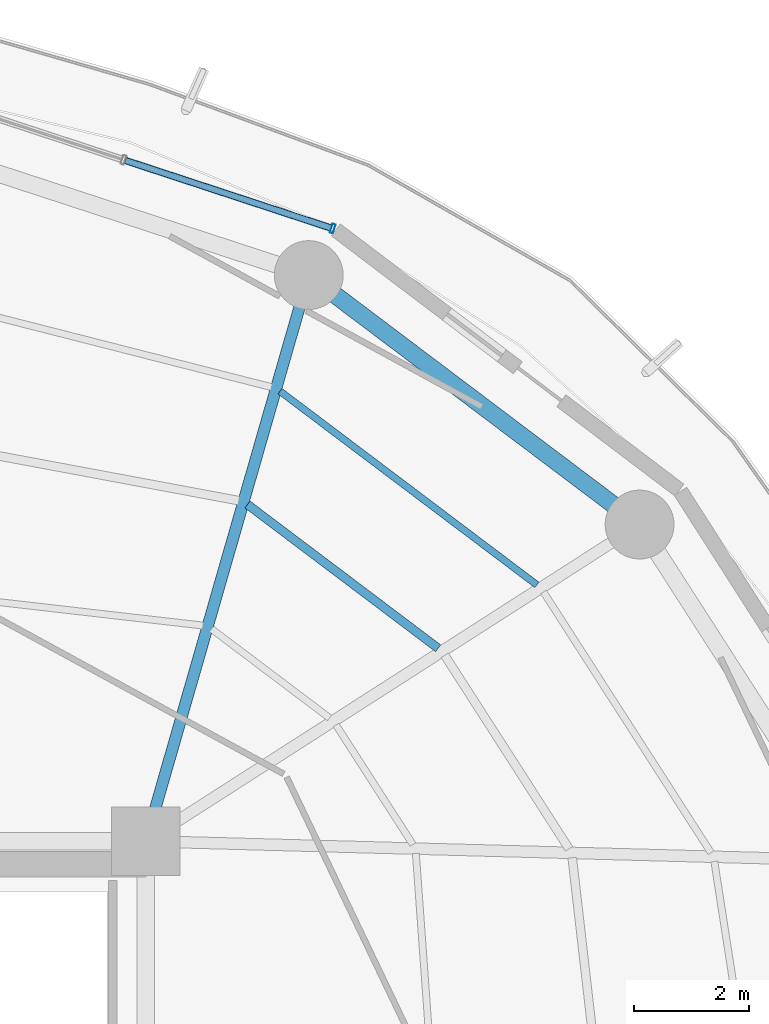
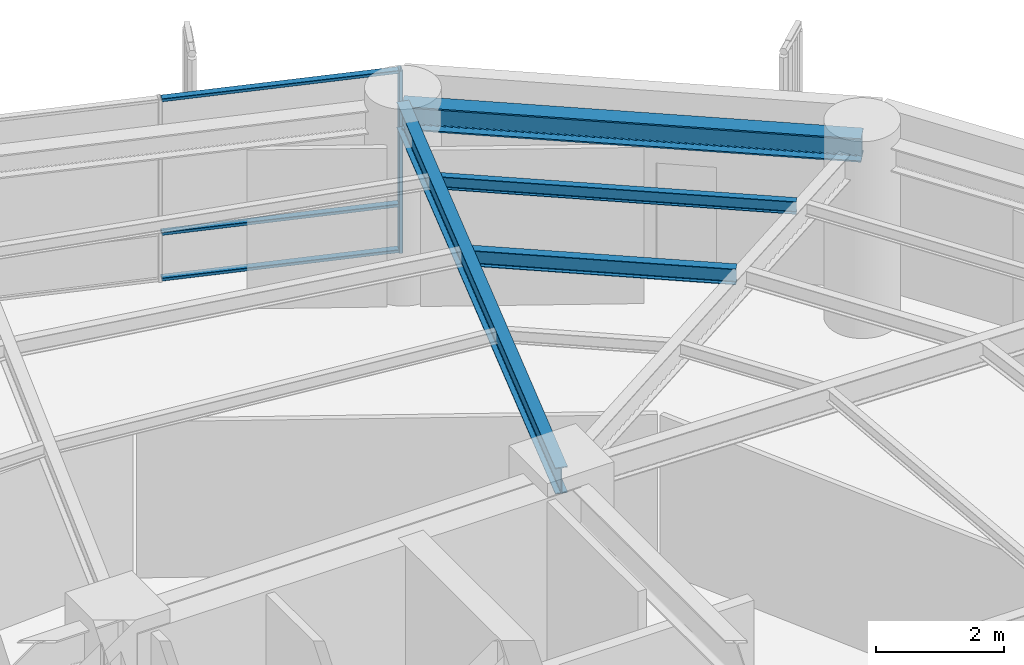
# One storey, part 19 of 28: 4 beams, 4 members, 1 element without a shape of its own.
"""IFC4 building model written with IfcOpenShell, lengths in metres."""

from ifc_helpers import new_model, si_unit, direction, frame, origin, origin_2d, place, context, subcontext, project, spatial, hollow_rectangle, i_section, extrude, material, layer, layer_set, material_profile, profile_set, type_object, element, aggregate, save


model = new_model("IFC4")

# Units and contexts
model_context = context("Model", 3, precision=1e-05, world=origin(), true_north=direction((0.0, 1.0)))
body_context = subcontext(model_context, "Body", "Model", "MODEL_VIEW")
ifc_project = project(units=[si_unit("LENGTHUNIT", "METRE"), si_unit("AREAUNIT", "SQUARE_METRE"), si_unit("VOLUMEUNIT", "CUBIC_METRE"), si_unit("PLANEANGLEUNIT", "RADIAN"), si_unit("MASSUNIT", "GRAM", prefix="KILO")], contexts=[model_context])

# Site, building, storey
site_placement = place(None, origin())
site = spatial("IfcSite", under=ifc_project, at=site_placement, CompositionType="ELEMENT")
building_placement = place(site_placement, origin())
building = spatial("IfcBuilding", under=site, at=building_placement, Name="Kelanora Arch Commons", CompositionType="ELEMENT")
storey_placement = place(building_placement, frame((0.0, 0.0, 139.35009765625)))
storey = spatial("IfcBuildingStorey", under=building, at=storey_placement, Name="L35", CompositionType="ELEMENT", Elevation=139.35009765625)

# Beams
ifc_material_1 = material(Name="Steel S355", Category="steel")
ifc_material_profile_1 = material_profile(ifc_material_1, i_section(OverallWidth=0.14990234375, OverallDepth=0.300048828125, WebThickness=0.007080078125, FlangeThickness=0.0107421875, FilletRadius=0.014892578125, at=origin_2d()), Name="IPE300")
ifc_profile_set_1 = profile_set([ifc_material_profile_1], Name="Steel S355")
beam_type_1 = type_object("IfcBeamType", Name="BM-JST-01", PredefinedType="JOIST", material=ifc_profile_set_1)
beam_1_placement = place(storey_placement, frame((87.0966796875, 68.364013671875, 3.33984375), z_axis=(-0.798463547891, 0.602043156833, 0.0), x_axis=(-0.602043156833, -0.798463547891, 0.0)))
element("IfcBeam", 1, at=beam_1_placement, inside=storey, type_object=beam_type_1, Name="Secondary Chord Joist BJB-04 L35", PredefinedType="JOIST", context=body_context, shape_type="SweptSolid", body=[
    extrude(i_section(OverallWidth=0.14990234375, OverallDepth=0.300048828125, WebThickness=0.007080078125, FlangeThickness=0.0107421875, FilletRadius=0.014892578125, at=origin_2d()), origin(), (0.0, 0.0, 1.0), 4.163818359375),
])
ifc_material_profile_2 = material_profile(ifc_material_1, i_section(OverallWidth=0.1201171875, OverallDepth=0.239990234375, WebThickness=0.006103515625, FlangeThickness=0.009765625, FilletRadius=0.014892578125, at=origin_2d()), Name="IPE240")
ifc_profile_set_2 = profile_set([ifc_material_profile_2], Name="Steel S355")
beam_type_2 = type_object("IfcBeamType", Name="BM-JST-02", PredefinedType="JOIST", material=ifc_profile_set_2)
beam_2_placement = place(storey_placement, frame((88.818359375, 69.468505859375, 3.369873046875), z_axis=(-0.798493128577, 0.602003923256, 0.0), x_axis=(-0.602003923256, -0.798493128577, 0.0)))
element("IfcBeam", 2, at=beam_2_placement, inside=storey, type_object=beam_type_2, Name="Secondary Chord Joist BJC-04 L35", PredefinedType="JOIST", context=body_context, shape_type="SweptSolid", body=[
    extrude(i_section(OverallWidth=0.1201171875, OverallDepth=0.239990234375, WebThickness=0.006103515625, FlangeThickness=0.009765625, FilletRadius=0.014892578125, at=origin_2d()), origin(), (0.0, 0.0, 1.0), 5.608642578125),
])
ifc_material_profile_3 = material_profile(ifc_material_1, i_section(OverallWidth=0.199951171875, OverallDepth=0.5, WebThickness=0.01025390625, FlangeThickness=0.01611328125, FilletRadius=0.02099609375, at=origin_2d()), Name="IPE500")
ifc_profile_set_3 = profile_set([ifc_material_profile_3], Name="Steel S355")
beam_type_3 = type_object("IfcBeamType", Name="BM-RAD-Z3", PredefinedType="BEAM", material=ifc_profile_set_3)
beam_3_placement = place(storey_placement, frame((82.0, 65.0, 3.239990234375), z_axis=(0.276525880065, 0.961006471182, 0.0), x_axis=(-0.961006471182, 0.276525880065, 0.0)))
element("IfcBeam", 3, at=beam_3_placement, inside=storey, type_object=beam_type_3, Name="Radial Floor Girder BR-06 L35", PredefinedType="BEAM", context=body_context, shape_type="SweptSolid", body=[
    extrude(i_section(OverallWidth=0.199951171875, OverallDepth=0.5, WebThickness=0.01025390625, FlangeThickness=0.01611328125, FilletRadius=0.02099609375, at=origin_2d()), origin(), (0.0, 0.0, 1.0), 10.2705078125),
])
ifc_material_profile_4 = material_profile(ifc_material_1, i_section(OverallWidth=0.300048828125, OverallDepth=0.449951171875, WebThickness=0.013916015625, FlangeThickness=0.02587890625, FilletRadius=0.027099609375, at=origin_2d()), Name="HEB450")
ifc_profile_set_4 = profile_set([ifc_material_profile_4], Name="Steel S355")
beam_type_4 = type_object("IfcBeamType", Name="BM-SPN-Z3", PredefinedType="SPANDREL", material=ifc_profile_set_4)
beam_4_placement = place(storey_placement, frame((90.60791015625, 70.521484375, 3.264892578125), z_axis=(-0.798484645564, 0.60201517489, 0.0), x_axis=(-0.60201517489, -0.798484645564, 0.0)))
element("IfcBeam", 4, at=beam_4_placement, inside=storey, type_object=beam_type_4, Name="Perimeter Spandrel Beam BS-04 L35", PredefinedType="SPANDREL", context=body_context, shape_type="SweptSolid", body=[
    extrude(i_section(OverallWidth=0.300048828125, OverallDepth=0.449951171875, WebThickness=0.013916015625, FlangeThickness=0.02587890625, FilletRadius=0.027099609375, at=origin_2d()), origin(), (0.0, 0.0, 1.0), 7.223388671875),
])

# Curtain wall, members
ifc_material_2 = material(Name="Terracotta ceramic-fritted low-E glass and aluminium", Category="masonry")
ifc_layer = layer(ifc_material_2, 0.175048828125)
ifc_layer_set = layer_set([ifc_layer], Name="Terracotta ceramic-fritted low-E glass and aluminium")
curtain_wall_type = type_object("IfcCurtainWallType", Name="CW-SYS-02", PredefinedType="NOTDEFINED", material=ifc_layer_set)
curtain_wall_placement = place(storey_placement, origin())
curtain_wall = element("IfcCurtainWall", 5, at=curtain_wall_placement, inside=storey, type_object=curtain_wall_type, Name="Unitised Curtain Wall L35-B03", PredefinedType="NOTDEFINED")
ifc_material_3 = material(Name="Powder-coated aluminium terracotta", Category="masonry")
ifc_material_profile_5 = material_profile(ifc_material_3, hollow_rectangle(XDim=0.159912109375, YDim=0.06005859375, WallThickness=0.0048828125, InnerFilletRadius=0.0048828125, OuterFilletRadius=0.010009765625, at=origin_2d()), Name="CWM160x60")
ifc_profile_set_5 = profile_set([ifc_material_profile_5], Name="Powder-coated aluminium terracotta")
member_type_1 = type_object("IfcMemberType", Name="CWM-STD", PredefinedType="MULLION", material=ifc_profile_set_5)
member_1_placement = place(storey_placement, frame((85.257080078125, 75.680908203125, 0.0), z_axis=(0.0, 0.0, 1.0), x_axis=(-0.312128279571, -0.95003996605, 0.0)))
member_1 = element("IfcMember", 6, at=member_1_placement, type_object=member_type_1, Name="CW-02 mullion 1", PredefinedType="MULLION", context=body_context, shape_type="SweptSolid", body=[
    extrude(hollow_rectangle(XDim=0.159912109375, YDim=0.06005859375, WallThickness=0.0048828125, InnerFilletRadius=0.0048828125, OuterFilletRadius=0.010009765625, at=origin_2d()), origin(), (0.0, 0.0, 1.0), 3.474853515625),
])
ifc_material_profile_6 = material_profile(ifc_material_3, hollow_rectangle(XDim=0.1201171875, YDim=0.06005859375, WallThickness=0.0048828125, InnerFilletRadius=0.0048828125, OuterFilletRadius=0.010009765625, at=origin_2d()), Name="CWT120x60")
ifc_profile_set_6 = profile_set([ifc_material_profile_6], Name="Powder-coated aluminium terracotta")
member_type_2 = type_object("IfcMemberType", Name="CWT-STD", PredefinedType="USERDEFINED", material=ifc_profile_set_6)
member_2_placement = place(storey_placement, frame((85.228759765625, 75.6904296875, 0.02978515625), z_axis=(-0.950051191155, 0.312094111104, 0.0), x_axis=(-0.312094111104, -0.950051191155, 0.0)))
member_2 = element("IfcMember", 7, at=member_2_placement, type_object=member_type_2, Name="CW-02 transom 1.1", ObjectType="TRANSOM", PredefinedType="USERDEFINED", context=body_context, shape_type="SweptSolid", body=[
    extrude(hollow_rectangle(XDim=0.1201171875, YDim=0.06005859375, WallThickness=0.0048828125, InnerFilletRadius=0.0048828125, OuterFilletRadius=0.010009765625, at=origin_2d()), origin(), (0.0, 0.0, 1.0), 3.77685546875),
])
member_3_placement = place(storey_placement, frame((85.228759765625, 75.6904296875, 0.89990234375), z_axis=(-0.950051191155, 0.312094111104, 0.0), x_axis=(-0.312094111104, -0.950051191155, 0.0)))
member_3 = element("IfcMember", 8, at=member_3_placement, type_object=member_type_2, Name="CW-02 transom 1.2", ObjectType="TRANSOM", PredefinedType="USERDEFINED", context=body_context, shape_type="SweptSolid", body=[
    extrude(hollow_rectangle(XDim=0.1201171875, YDim=0.06005859375, WallThickness=0.0048828125, InnerFilletRadius=0.0048828125, OuterFilletRadius=0.010009765625, at=origin_2d()), origin(), (0.0, 0.0, 1.0), 3.77685546875),
])
member_4_placement = place(storey_placement, frame((85.228759765625, 75.6904296875, 3.44482421875), z_axis=(-0.950051191155, 0.312094111104, 0.0), x_axis=(-0.312094111104, -0.950051191155, 0.0)))
member_4 = element("IfcMember", 9, at=member_4_placement, type_object=member_type_2, Name="CW-02 transom 1.3", ObjectType="TRANSOM", PredefinedType="USERDEFINED", context=body_context, shape_type="SweptSolid", body=[
    extrude(hollow_rectangle(XDim=0.1201171875, YDim=0.06005859375, WallThickness=0.0048828125, InnerFilletRadius=0.0048828125, OuterFilletRadius=0.010009765625, at=origin_2d()), origin(), (0.0, 0.0, 1.0), 3.77685546875),
])
aggregate(curtain_wall, [member_1, member_2, member_3, member_4])

save(model, "model.ifc")
